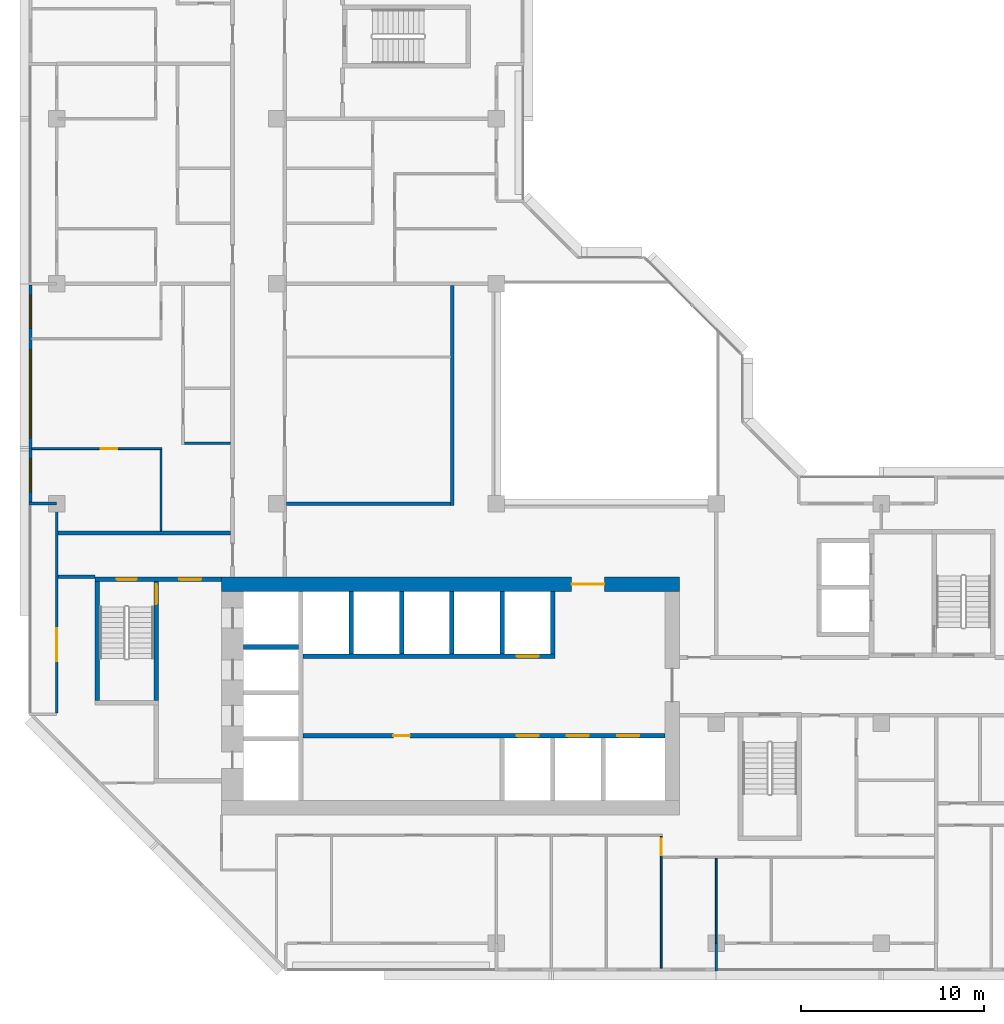
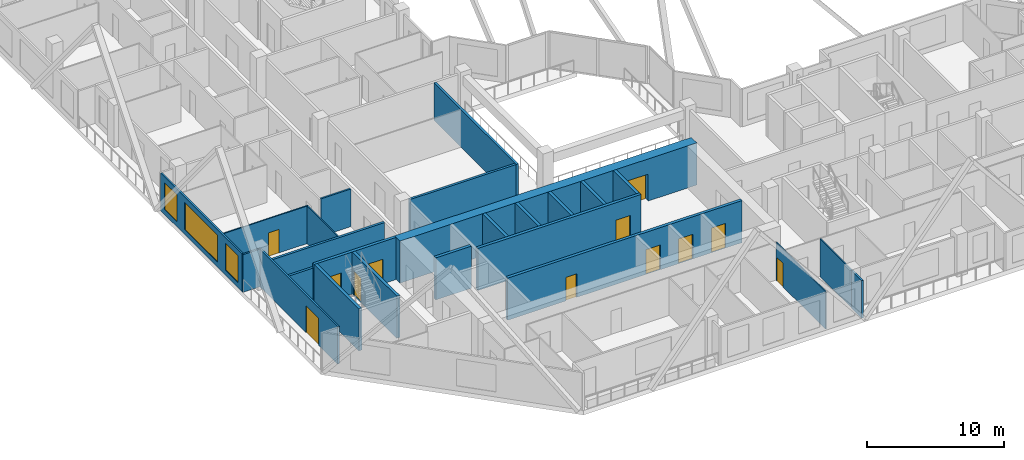
# One storey, part 5 of 15: 25 walls, 12 doors, 3 windows, 15 openings.
"""IFC4 building model written with IfcOpenShell, lengths in metres."""

from ifc_helpers import new_model, si_unit, direction, frame, frame_2d, origin, place, context, subcontext, project, spatial, rectangle, extrude, material, layer, layer_set, type_object, element, fill, save


model = new_model("IFC4")

# Units and contexts
model_context = context("Model", 3, precision=1e-05, world=origin(), true_north=direction((0.0, 1.0)))
body_context = subcontext(model_context, "Body", "Model", "MODEL_VIEW")
ifc_project = project(units=[si_unit("LENGTHUNIT", "METRE"), si_unit("AREAUNIT", "SQUARE_METRE"), si_unit("VOLUMEUNIT", "CUBIC_METRE"), si_unit("PLANEANGLEUNIT", "RADIAN"), si_unit("MASSUNIT", "GRAM", prefix="KILO")], contexts=[model_context])

# Site, building, storey
site_placement = place(None, origin())
site = spatial("IfcSite", under=ifc_project, at=site_placement, CompositionType="ELEMENT")
building_placement = place(site_placement, origin())
building = spatial("IfcBuilding", under=site, at=building_placement, Name="Chenar Terraces", CompositionType="ELEMENT")
storey_placement = place(building_placement, frame((0.0, 0.0, 194.89990234375)))
storey = spatial("IfcBuildingStorey", under=building, at=storey_placement, Name="L45", CompositionType="ELEMENT", Elevation=194.89990234375)

# Wall, openings, doors
ifc_material_1 = material(Name="Concrete C60/75", Category="concrete")
ifc_layer_1 = layer(ifc_material_1, 0.25)
ifc_layer_set_1 = layer_set([ifc_layer_1], Name="Concrete C60/75")
wall_type_1 = type_object("IfcWallType", Name="Core wall 250 Concrete C60/75", PredefinedType="SHEAR", material=ifc_layer_set_1)
wall_1_placement = place(storey_placement, frame((13.449951171875, 11.324951171875, 0.0), z_axis=(0.0, 0.0, 1.0), x_axis=(1.0, 0.0, 0.0)))
wall_1 = element("IfcWall", 1, at=wall_1_placement, inside=storey, type_object=wall_type_1, Name="Core wall SF L45", PredefinedType="SHEAR", context=body_context, shape_type="SweptSolid", body=[
    extrude(rectangle(XDim=19.75, YDim=0.25, at=frame_2d((9.875, 0.0))), origin(), (0.0, 0.0, 1.0), 3.75),
])
opening_1_placement = place(wall_1_placement, frame((11.64990234375, 0.0, 0.0)))
opening_1 = element("IfcOpeningElement", 2, at=opening_1_placement, cuts=wall_1, Name="Opening DL45-LD1", PredefinedType="OPENING", context=body_context, shape_type="SweptSolid", body=[
    extrude(rectangle(XDim=1.199951171875, YDim=2.199951171875, at=frame_2d((0.60009765625, 1.10009765625))), frame((0.0, 0.135009765625, 0.0), z_axis=(0.0, -1.0, 0.0), x_axis=(1.0, 0.0, 0.0)), (0.0, 0.0, 1.0), 0.27001953125),
])
opening_2_placement = place(wall_1_placement, frame((14.39990234375, 0.0, 0.0)))
opening_2 = element("IfcOpeningElement", 3, at=opening_2_placement, cuts=wall_1, Name="Opening DL45-LD2", PredefinedType="OPENING", context=body_context, shape_type="SweptSolid", body=[
    extrude(rectangle(XDim=1.199951171875, YDim=2.199951171875, at=frame_2d((0.60009765625, 1.10009765625))), frame((0.0, 0.135009765625, 0.0), z_axis=(0.0, -1.0, 0.0), x_axis=(1.0, 0.0, 0.0)), (0.0, 0.0, 1.0), 0.27001953125),
])
opening_3_placement = place(wall_1_placement, frame((17.14990234375, 0.0, 0.0)))
opening_3 = element("IfcOpeningElement", 4, at=opening_3_placement, cuts=wall_1, Name="Opening DL45-LD3", PredefinedType="OPENING", context=body_context, shape_type="SweptSolid", body=[
    extrude(rectangle(XDim=1.199951171875, YDim=2.199951171875, at=frame_2d((0.60009765625, 1.10009765625))), frame((0.0, 0.135009765625, 0.0), z_axis=(0.0, -1.0, 0.0), x_axis=(1.0, 0.0, 0.0)), (0.0, 0.0, 1.0), 0.27001953125),
])
opening_4_placement = place(wall_1_placement, frame((4.925048828125, 0.0, 0.0)))
opening_4 = element("IfcOpeningElement", 5, at=opening_4_placement, cuts=wall_1, Name="Opening DL45-C12", PredefinedType="OPENING", context=body_context, shape_type="SweptSolid", body=[
    extrude(rectangle(XDim=0.89990234375, YDim=2.10009765625, at=frame_2d((0.449951171875, 1.050048828125))), frame((0.0, 0.135009765625, 0.0), z_axis=(0.0, -1.0, 0.0), x_axis=(1.0, 0.0, 0.0)), (0.0, 0.0, 1.0), 0.27001953125),
])
ifc_material_2 = material(Name="Stainless steel", Category="steel")
door_type_1 = type_object("IfcDoorType", Name="Lift landing door 1200 x 2200 sliding", OperationType="DOUBLE_DOOR_SLIDING", PredefinedType="DOOR", material=ifc_material_2)
door_1_placement = place(opening_1_placement, origin())
door_1 = element("IfcDoor", 6, at=door_1_placement, inside=storey, type_object=door_type_1, Name="Landing door M1", OperationType="DOUBLE_DOOR_SLIDING", OverallHeight=2.199951171875, OverallWidth=1.199951171875, PredefinedType="DOOR", context=body_context, shape_type="SweptSolid", body=[
    extrude(rectangle(XDim=1.199951171875, YDim=2.199951171875, at=frame_2d((0.60009765625, 1.10009765625))), frame((0.0, 0.02490234375, 0.0), z_axis=(0.0, -1.0, 0.0), x_axis=(1.0, 0.0, 0.0)), (0.0, 0.0, 1.0), 0.050048828125),
])
fill(opening_1, door_1)
door_2_placement = place(opening_2_placement, origin())
door_2 = element("IfcDoor", 7, at=door_2_placement, inside=storey, type_object=door_type_1, Name="Landing door M2", OperationType="DOUBLE_DOOR_SLIDING", OverallHeight=2.199951171875, OverallWidth=1.199951171875, PredefinedType="DOOR", context=body_context, shape_type="SweptSolid", body=[
    extrude(rectangle(XDim=1.199951171875, YDim=2.199951171875, at=frame_2d((0.60009765625, 1.10009765625))), frame((0.0, 0.02490234375, 0.0), z_axis=(0.0, -1.0, 0.0), x_axis=(1.0, 0.0, 0.0)), (0.0, 0.0, 1.0), 0.050048828125),
])
fill(opening_2, door_2)
door_3_placement = place(opening_3_placement, origin())
door_3 = element("IfcDoor", 8, at=door_3_placement, inside=storey, type_object=door_type_1, Name="Landing door M3", OperationType="DOUBLE_DOOR_SLIDING", OverallHeight=2.199951171875, OverallWidth=1.199951171875, PredefinedType="DOOR", context=body_context, shape_type="SweptSolid", body=[
    extrude(rectangle(XDim=1.199951171875, YDim=2.199951171875, at=frame_2d((0.60009765625, 1.10009765625))), frame((0.0, 0.02490234375, 0.0), z_axis=(0.0, -1.0, 0.0), x_axis=(1.0, 0.0, 0.0)), (0.0, 0.0, 1.0), 0.050048828125),
])
fill(opening_3, door_3)
ifc_material_3 = material(Name="Steel-framed fire-resisting door leaf", Category="steel")
door_type_2 = type_object("IfcDoorType", Name="Riser fire door FD60 900 x 2100", OperationType="SINGLE_SWING_LEFT", PredefinedType="DOOR", material=ifc_material_3)
door_4_placement = place(opening_4_placement, frame((0.89990234375, 0.0, 0.0), z_axis=(0.0, 0.0, 1.0), x_axis=(-1.0, 0.0, 0.0)))
door_4 = element("IfcDoor", 9, at=door_4_placement, inside=storey, type_object=door_type_2, Name="Core room door DL45-C12", OperationType="SINGLE_SWING_RIGHT", OverallHeight=2.10009765625, OverallWidth=0.89990234375, PredefinedType="DOOR", context=body_context, shape_type="SweptSolid", body=[
    extrude(rectangle(XDim=0.89990234375, YDim=2.10009765625, at=frame_2d((0.449951171875, 1.050048828125))), frame((0.0, 0.02490234375, 0.0), z_axis=(0.0, -1.0, 0.0), x_axis=(1.0, 0.0, 0.0)), (0.0, 0.0, 1.0), 0.050048828125),
])
fill(opening_4, door_4)

# Wall, opening, door
wall_2_placement = place(storey_placement, frame((13.449951171875, 15.675048828125, 0.0), z_axis=(0.0, 0.0, 1.0), x_axis=(1.0, 0.0, 0.0)))
wall_2 = element("IfcWall", 10, at=wall_2_placement, inside=storey, type_object=wall_type_1, Name="Core wall NF L45", PredefinedType="SHEAR", context=body_context, shape_type="SweptSolid", body=[
    extrude(rectangle(XDim=13.75, YDim=0.25, at=frame_2d((6.875, 0.0))), origin(), (0.0, 0.0, 1.0), 3.75),
])
opening_5_placement = place(wall_2_placement, frame((11.64990234375, 0.0, 0.0)))
opening_5 = element("IfcOpeningElement", 11, at=opening_5_placement, cuts=wall_2, Name="Opening DL45-LD4", PredefinedType="OPENING", context=body_context, shape_type="SweptSolid", body=[
    extrude(rectangle(XDim=1.199951171875, YDim=2.199951171875, at=frame_2d((0.60009765625, 1.10009765625))), frame((0.0, 0.135009765625, 0.0), z_axis=(0.0, -1.0, 0.0), x_axis=(1.0, 0.0, 0.0)), (0.0, 0.0, 1.0), 0.27001953125),
])
door_5_placement = place(opening_5_placement, origin())
door_5 = element("IfcDoor", 12, at=door_5_placement, inside=storey, type_object=door_type_1, Name="Landing door M4", OperationType="DOUBLE_DOOR_SLIDING", OverallHeight=2.199951171875, OverallWidth=1.199951171875, PredefinedType="DOOR", context=body_context, shape_type="SweptSolid", body=[
    extrude(rectangle(XDim=1.199951171875, YDim=2.199951171875, at=frame_2d((0.60009765625, 1.10009765625))), frame((0.0, 0.02490234375, 0.0), z_axis=(0.0, -1.0, 0.0), x_axis=(1.0, 0.0, 0.0)), (0.0, 0.0, 1.0), 0.050048828125),
])
fill(opening_5, door_5)

# Walls
wall_3_placement = place(storey_placement, frame((10.199951171875, 16.175048828125, 0.0), z_axis=(0.0, 0.0, 1.0), x_axis=(1.0, 0.0, 0.0)))
element("IfcWall", 13, at=wall_3_placement, inside=storey, type_object=wall_type_1, Name="Core wall HW2 L45", PredefinedType="SHEAR", context=body_context, shape_type="SweptSolid", body=[
    extrude(rectangle(XDim=3.0, YDim=0.25, at=frame_2d((1.5, 0.0))), origin(), (0.0, 0.0, 1.0), 3.75),
])
for number, where, z_axis, x_axis, name in (
    (14, (16.074951171875, 15.800048828125, 0.0), (0.0, 0.0, 1.0), (0.0, 1.0, 0.0), "Core wall NS0 L45"),
    (15, (18.824951171875, 15.800048828125, 0.0), (0.0, 0.0, 1.0), (0.0, 1.0, 0.0), "Core wall NS1 L45"),
    (16, (21.574951171875, 15.800048828125, 0.0), (0.0, 0.0, 1.0), (0.0, 1.0, 0.0), "Core wall NS2 L45"),
    (17, (24.324951171875, 15.800048828125, 0.0), (0.0, 0.0, 1.0), (0.0, 1.0, 0.0), "Core wall NS3 L45"),
    (18, (27.074951171875, 15.800048828125, 0.0), (0.0, 0.0, 1.0), (0.0, 1.0, 0.0), "Core wall NE L45"),
):
    element("IfcWall", number, at=place(storey_placement, frame(where, z_axis=z_axis, x_axis=x_axis)), inside=storey, type_object=wall_type_1, Name=name, PredefinedType="SHEAR", context=body_context, shape_type="SweptSolid", body=[
        extrude(rectangle(XDim=3.39990234375, YDim=0.25, at=frame_2d((1.699951171875, 0.0))), origin(), (0.0, 0.0, 1.0), 3.75),
    ])

# Wall, openings, doors
wall_4_placement = place(storey_placement, frame((2.10009765625, 19.875, 0.0), z_axis=(0.0, 0.0, 1.0), x_axis=(1.0, 0.0, 0.0)))
wall_4 = element("IfcWall", 19, at=wall_4_placement, inside=storey, type_object=wall_type_1, Name="Core wall A_N L45", PredefinedType="SHEAR", context=body_context, shape_type="SweptSolid", body=[
    extrude(rectangle(XDim=6.89990234375, YDim=0.25, at=frame_2d((3.449951171875, 0.0))), origin(), (0.0, 0.0, 1.0), 3.75),
])
opening_6_placement = place(wall_4_placement, frame((1.175048828125, 0.0, 0.0)))
opening_6 = element("IfcOpeningElement", 20, at=opening_6_placement, cuts=wall_4, Name="Opening DL45-C5", PredefinedType="OPENING", context=body_context, shape_type="SweptSolid", body=[
    extrude(rectangle(XDim=1.10009765625, YDim=2.199951171875, at=frame_2d((0.550048828125, 1.10009765625))), frame((0.0, 0.135009765625, 0.0), z_axis=(0.0, -1.0, 0.0), x_axis=(1.0, 0.0, 0.0)), (0.0, 0.0, 1.0), 0.27001953125),
])
opening_7_placement = place(wall_4_placement, frame((4.60009765625, 0.0, 0.0)))
opening_7 = element("IfcOpeningElement", 21, at=opening_7_placement, cuts=wall_4, Name="Opening DL45-C6", PredefinedType="OPENING", context=body_context, shape_type="SweptSolid", body=[
    extrude(rectangle(XDim=1.199951171875, YDim=2.199951171875, at=frame_2d((0.60009765625, 1.10009765625))), frame((0.0, 0.135009765625, 0.0), z_axis=(0.0, -1.0, 0.0), x_axis=(1.0, 0.0, 0.0)), (0.0, 0.0, 1.0), 0.27001953125),
])
ifc_material_4 = material(Name="Steel-framed fire-resisting door leaf", Category="steel")
door_type_3 = type_object("IfcDoorType", Name="Lobby fire door FD60 1200 x 2200", OperationType="SINGLE_SWING_LEFT", PredefinedType="DOOR", material=ifc_material_4)
door_6_placement = place(opening_7_placement, frame((1.199951171875, 0.0, 0.0), z_axis=(0.0, 0.0, 1.0), x_axis=(-1.0, 0.0, 0.0)))
door_6 = element("IfcDoor", 22, at=door_6_placement, inside=storey, type_object=door_type_3, Name="Core door DL45-C6", OperationType="SINGLE_SWING_LEFT", OverallHeight=2.199951171875, OverallWidth=1.199951171875, PredefinedType="DOOR", context=body_context, shape_type="SweptSolid", body=[
    extrude(rectangle(XDim=1.199951171875, YDim=2.199951171875, at=frame_2d((0.60009765625, 1.10009765625))), frame((0.0, 0.02490234375, 0.0), z_axis=(0.0, -1.0, 0.0), x_axis=(1.0, 0.0, 0.0)), (0.0, 0.0, 1.0), 0.050048828125),
])
fill(opening_7, door_6)
ifc_material_5 = material(Name="Steel-framed fire-resisting door leaf", Category="steel")
door_type_4 = type_object("IfcDoorType", Name="Stair fire door FD60 1100 x 2200", OperationType="SINGLE_SWING_LEFT", PredefinedType="DOOR", material=ifc_material_5)
door_7_placement = place(opening_6_placement, origin())
door_7 = element("IfcDoor", 23, at=door_7_placement, inside=storey, type_object=door_type_4, Name="Stair door DL45-C5", OperationType="SINGLE_SWING_LEFT", OverallHeight=2.199951171875, OverallWidth=1.10009765625, PredefinedType="DOOR", context=body_context, shape_type="SweptSolid", body=[
    extrude(rectangle(XDim=1.10009765625, YDim=2.199951171875, at=frame_2d((0.550048828125, 1.10009765625))), frame((0.0, 0.02490234375, 0.0), z_axis=(0.0, -1.0, 0.0), x_axis=(1.0, 0.0, 0.0)), (0.0, 0.0, 1.0), 0.050048828125),
])
fill(opening_6, door_7)

# Wall
wall_5_placement = place(storey_placement, frame((2.22509765625, 13.25, 0.0), z_axis=(0.0, 0.0, 1.0), x_axis=(0.0, 1.0, 0.0)))
element("IfcWall", 24, at=wall_5_placement, inside=storey, type_object=wall_type_1, Name="Core wall ST1_W L45", PredefinedType="SHEAR", context=body_context, shape_type="SweptSolid", body=[
    extrude(rectangle(XDim=6.5, YDim=0.25, at=frame_2d((3.25, 0.0))), origin(), (0.0, 0.0, 1.0), 3.75),
])

# Wall, opening, door
wall_6_placement = place(storey_placement, frame((5.425048828125, 13.25, 0.0), z_axis=(0.0, 0.0, 1.0), x_axis=(0.0, 1.0, 0.0)))
wall_6 = element("IfcWall", 25, at=wall_6_placement, inside=storey, type_object=wall_type_1, Name="Core wall ST1_E L45", PredefinedType="SHEAR", context=body_context, shape_type="SweptSolid", body=[
    extrude(rectangle(XDim=6.5, YDim=0.25, at=frame_2d((3.25, 0.0))), origin(), (0.0, 0.0, 1.0), 3.75),
])
opening_8_placement = place(wall_6_placement, frame((5.25, 0.0, 0.0)))
opening_8 = element("IfcOpeningElement", 26, at=opening_8_placement, cuts=wall_6, Name="Opening DL45-C3", PredefinedType="OPENING", context=body_context, shape_type="SweptSolid", body=[
    extrude(rectangle(XDim=1.10009765625, YDim=2.199951171875, at=frame_2d((0.550048828125, 1.10009765625))), frame((0.0, 0.135009765625, 0.0), z_axis=(0.0, -1.0, 0.0), x_axis=(1.0, 0.0, 0.0)), (0.0, 0.0, 1.0), 0.27001953125),
])
door_8_placement = place(opening_8_placement, origin())
door_8 = element("IfcDoor", 27, at=door_8_placement, inside=storey, type_object=door_type_4, Name="Stair door DL45-C3", OperationType="SINGLE_SWING_RIGHT", OverallHeight=2.199951171875, OverallWidth=1.10009765625, PredefinedType="DOOR", context=body_context, shape_type="SweptSolid", body=[
    extrude(rectangle(XDim=1.10009765625, YDim=2.199951171875, at=frame_2d((0.550048828125, 1.10009765625))), frame((0.0, 0.02490234375, 0.0), z_axis=(0.0, -1.0, 0.0), x_axis=(1.0, 0.0, 0.0)), (0.0, 0.0, 1.0), 0.050048828125),
])
fill(opening_8, door_8)

ifc_material_6 = material(Name="Concrete C60/75", Category="concrete")
ifc_layer_2 = layer(ifc_material_6, 0.800048828125)
ifc_layer_set_2 = layer_set([ifc_layer_2], Name="Concrete C60/75")
wall_type_2 = type_object("IfcWallType", Name="Core wall 800 Concrete C60/75", PredefinedType="SHEAR", material=ifc_layer_set_2)
wall_7_placement = place(storey_placement, frame((9.0, 19.60009765625, 0.0), z_axis=(0.0, 0.0, 1.0), x_axis=(1.0, 0.0, 0.0)))
wall_7 = element("IfcWall", 28, at=wall_7_placement, inside=storey, type_object=wall_type_2, Name="Core wall N L45", PredefinedType="SHEAR", context=body_context, shape_type="SweptSolid", body=[
    extrude(rectangle(XDim=25.0, YDim=0.800048828125, at=frame_2d((12.5, 0.0))), origin(), (0.0, 0.0, 1.0), 3.75),
])
opening_9_placement = place(wall_7_placement, frame((19.10009765625, 0.0, 0.0)))
opening_9 = element("IfcOpeningElement", 29, at=opening_9_placement, cuts=wall_7, Name="Opening DL45-C2", PredefinedType="OPENING", context=body_context, shape_type="SweptSolid", body=[
    extrude(rectangle(XDim=1.800048828125, YDim=2.39990234375, at=frame_2d((0.89990234375, 1.199951171875))), frame((0.0, 0.409912109375, 0.0), z_axis=(0.0, -1.0, 0.0), x_axis=(1.0, 0.0, 0.0)), (0.0, 0.0, 1.0), 0.820068359375),
])
ifc_material_7 = material(Name="Steel-framed fire-resisting door leaf", Category="steel")
door_type_5 = type_object("IfcDoorType", Name="Core entrance double fire door FD60 1800 x 2400", OperationType="DOUBLE_DOOR_SINGLE_SWING", PredefinedType="DOOR", material=ifc_material_7)
door_9_placement = place(opening_9_placement, frame((1.800048828125, 0.0, 0.0), z_axis=(0.0, 0.0, 1.0), x_axis=(-1.0, 0.0, 0.0)))
door_9 = element("IfcDoor", 30, at=door_9_placement, inside=storey, type_object=door_type_5, Name="Core door DL45-C2", OperationType="DOUBLE_DOOR_SINGLE_SWING", OverallHeight=2.39990234375, OverallWidth=1.800048828125, PredefinedType="DOOR", context=body_context, shape_type="SweptSolid", body=[
    extrude(rectangle(XDim=1.800048828125, YDim=2.39990234375, at=frame_2d((0.89990234375, 1.199951171875))), frame((0.0, 0.02490234375, 0.0), z_axis=(0.0, -1.0, 0.0), x_axis=(1.0, 0.0, 0.0)), (0.0, 0.0, 1.0), 0.050048828125),
])
fill(opening_9, door_9)

# Walls
ifc_material_8 = material(Name="Gypsum board on steel studs with fire boards", Category="steel")
ifc_layer_3 = layer(ifc_material_8, 0.199951171875)
ifc_layer_set_3 = layer_set([ifc_layer_3], Name="Gypsum board on steel studs with fire boards")
wall_type_3 = type_object("IfcWallType", Name="Corridor wall 200", PredefinedType="PARTITIONING", material=ifc_layer_set_3)
wall_8_placement = place(storey_placement, frame((0.073974609375, 20.0, 0.0), z_axis=(0.0, 0.0, 1.0), x_axis=(1.0, 0.0, 0.0)))
element("IfcWall", 31, at=wall_8_placement, inside=storey, type_object=wall_type_3, Name="Partition L45-008", PredefinedType="PARTITIONING", context=body_context, shape_type="SweptSolid", body=[
    extrude(rectangle(XDim=2.026123046875, YDim=0.199951171875, at=frame_2d((1.01318359375, 0.0))), origin(), (0.0, 0.0, 1.0), 3.35009765625),
])
wall_9_placement = place(storey_placement, frame((0.073974609375, 22.39990234375, 0.0), z_axis=(0.0, 0.0, 1.0), x_axis=(1.0, 0.0, 0.0)))
element("IfcWall", 32, at=wall_9_placement, inside=storey, type_object=wall_type_3, Name="Partition L45-009", PredefinedType="PARTITIONING", context=body_context, shape_type="SweptSolid", body=[
    extrude(rectangle(XDim=9.426025390625, YDim=0.199951171875, at=frame_2d((4.712890625, 0.0))), origin(), (0.0, 0.0, 1.0), 3.35009765625),
])
wall_10_placement = place(storey_placement, frame((12.550048828125, 24.0, 0.0), z_axis=(0.0, 0.0, 1.0), x_axis=(1.0, 0.0, 0.0)))
element("IfcWall", 33, at=wall_10_placement, inside=storey, type_object=wall_type_3, Name="Partition L45-037", PredefinedType="PARTITIONING", context=body_context, shape_type="SweptSolid", body=[
    extrude(rectangle(XDim=8.949951171875, YDim=0.199951171875, at=frame_2d((4.47509765625, 0.0))), origin(), (0.0, 0.0, 1.0), 3.35009765625),
])
wall_11_placement = place(storey_placement, frame((21.60009765625, 23.89990234375, 0.0), z_axis=(0.0, 0.0, 1.0), x_axis=(0.0, 1.0, 0.0)))
element("IfcWall", 34, at=wall_11_placement, inside=storey, type_object=wall_type_3, Name="Partition L45-058", PredefinedType="PARTITIONING", context=body_context, shape_type="SweptSolid", body=[
    extrude(rectangle(XDim=12.0, YDim=0.199951171875, at=frame_2d((6.0, 0.0))), origin(), (0.0, 0.0, 1.0), 3.35009765625),
])

# Wall, openings, windows
ifc_material_9 = material(Name="Aluminium framed glazing", Category="aluminium")
ifc_layer_4 = layer(ifc_material_9, 0.14990234375)
ifc_layer_set_4 = layer_set([ifc_layer_4], Name="Aluminium framed glazing")
wall_type_4 = type_object("IfcWallType", Name="Glazed flush facade wall 150", PredefinedType="SOLIDWALL", material=ifc_layer_set_4)
wall_12_placement = place(storey_placement, frame((-1.425048828125, 35.925048828125, 0.0), z_axis=(0.0, 0.0, 1.0), x_axis=(0.0, -1.0, 0.0)))
wall_12 = element("IfcWall", 35, at=wall_12_placement, inside=storey, type_object=wall_type_4, Name="Glazed flush facade wall", PredefinedType="SOLIDWALL", context=body_context, shape_type="SweptSolid", body=[
    extrude(rectangle(XDim=11.85009765625, YDim=0.14990234375, at=frame_2d((5.925048828125, 0.0))), origin(), (0.0, 0.0, 1.0), 3.35009765625),
])
opening_10_placement = place(wall_12_placement, frame((0.5625, 0.0, 0.449951171875)))
opening_10 = element("IfcOpeningElement", 36, at=opening_10_placement, cuts=wall_12, Name="Opening W180x240", PredefinedType="OPENING", context=body_context, shape_type="SweptSolid", body=[
    extrude(rectangle(XDim=1.800048828125, YDim=2.39990234375, at=frame_2d((0.89990234375, 1.199951171875))), frame((0.0, 0.0849609375, 0.0), z_axis=(0.0, -1.0, 0.0), x_axis=(1.0, 0.0, 0.0)), (0.0, 0.0, 1.0), 0.169921875),
])
opening_11_placement = place(wall_12_placement, frame((3.52490234375, 0.0, 0.449951171875)))
opening_11 = element("IfcOpeningElement", 37, at=opening_11_placement, cuts=wall_12, Name="Opening W480x240", PredefinedType="OPENING", context=body_context, shape_type="SweptSolid", body=[
    extrude(rectangle(XDim=4.800048828125, YDim=2.39990234375, at=frame_2d((2.39990234375, 1.199951171875))), frame((0.0, 0.0849609375, 0.0), z_axis=(0.0, -1.0, 0.0), x_axis=(1.0, 0.0, 0.0)), (0.0, 0.0, 1.0), 0.169921875),
])
opening_12_placement = place(wall_12_placement, frame((9.487548828125, 0.0, 0.449951171875)))
opening_12 = element("IfcOpeningElement", 38, at=opening_12_placement, cuts=wall_12, Name="Opening W180x240", PredefinedType="OPENING", context=body_context, shape_type="SweptSolid", body=[
    extrude(rectangle(XDim=1.800048828125, YDim=2.39990234375, at=frame_2d((0.89990234375, 1.199951171875))), frame((0.0, 0.0849609375, 0.0), z_axis=(0.0, -1.0, 0.0), x_axis=(1.0, 0.0, 0.0)), (0.0, 0.0, 1.0), 0.169921875),
])
ifc_material_10 = material(Name="Low emissivity double glazing, aluminium frame", Category="aluminium")
window_type_1 = type_object("IfcWindowType", Name="Fixed light 1800 x 2400", PartitioningType="SINGLE_PANEL", PredefinedType="WINDOW", material=ifc_material_10)
window_1_placement = place(opening_10_placement, origin())
window_1 = element("IfcWindow", 39, at=window_1_placement, inside=storey, type_object=window_type_1, Name="Window", OverallHeight=2.39990234375, OverallWidth=1.800048828125, PartitioningType="SINGLE_PANEL", PredefinedType="WINDOW", context=body_context, shape_type="SweptSolid", body=[
    extrude(rectangle(XDim=1.800048828125, YDim=2.39990234375, at=frame_2d((0.89990234375, 1.199951171875))), frame((0.0, 0.030029296875, 0.0), z_axis=(0.0, -1.0, 0.0), x_axis=(1.0, 0.0, 0.0)), (0.0, 0.0, 1.0), 0.06005859375),
])
fill(opening_10, window_1)
window_2_placement = place(opening_12_placement, origin())
window_2 = element("IfcWindow", 40, at=window_2_placement, inside=storey, type_object=window_type_1, Name="Window", OverallHeight=2.39990234375, OverallWidth=1.800048828125, PartitioningType="SINGLE_PANEL", PredefinedType="WINDOW", context=body_context, shape_type="SweptSolid", body=[
    extrude(rectangle(XDim=1.800048828125, YDim=2.39990234375, at=frame_2d((0.89990234375, 1.199951171875))), frame((0.0, 0.030029296875, 0.0), z_axis=(0.0, -1.0, 0.0), x_axis=(1.0, 0.0, 0.0)), (0.0, 0.0, 1.0), 0.06005859375),
])
fill(opening_12, window_2)
ifc_material_11 = material(Name="Low emissivity double glazing, aluminium frame", Category="aluminium")
window_type_2 = type_object("IfcWindowType", Name="Fixed light 4800 x 2400", PartitioningType="SINGLE_PANEL", PredefinedType="WINDOW", material=ifc_material_11)
window_3_placement = place(opening_11_placement, origin())
window_3 = element("IfcWindow", 41, at=window_3_placement, inside=storey, type_object=window_type_2, Name="Window", OverallHeight=2.39990234375, OverallWidth=4.800048828125, PartitioningType="SINGLE_PANEL", PredefinedType="WINDOW", context=body_context, shape_type="SweptSolid", body=[
    extrude(rectangle(XDim=4.800048828125, YDim=2.39990234375, at=frame_2d((2.39990234375, 1.199951171875))), frame((0.0, 0.030029296875, 0.0), z_axis=(0.0, -1.0, 0.0), x_axis=(1.0, 0.0, 0.0)), (0.0, 0.0, 1.0), 0.06005859375),
])
fill(opening_11, window_3)

# Wall, opening, door
ifc_material_12 = material(Name="Aluminium framed glazing", Category="aluminium")
ifc_layer_5 = layer(ifc_material_12, 0.14990234375)
ifc_layer_set_5 = layer_set([ifc_layer_5], Name="Aluminium framed glazing")
wall_type_5 = type_object("IfcWallType", Name="Glazed loggia back wall 150", PredefinedType="SOLIDWALL", material=ifc_layer_set_5)
wall_13_placement = place(storey_placement, frame((0.0, 23.925048828125, 0.0), z_axis=(0.0, 0.0, 1.0), x_axis=(0.0, -1.0, 0.0)))
wall_13 = element("IfcWall", 42, at=wall_13_placement, inside=storey, type_object=wall_type_5, Name="Glazed loggia back wall", PredefinedType="SOLIDWALL", context=body_context, shape_type="SweptSolid", body=[
    extrude(rectangle(XDim=11.35009765625, YDim=0.14990234375, at=frame_2d((5.675048828125, 0.0))), origin(), (0.0, 0.0, 1.0), 3.35009765625),
])
opening_13_placement = place(wall_13_placement, frame((6.737548828125, 0.0, 0.0)))
opening_13 = element("IfcOpeningElement", 43, at=opening_13_placement, cuts=wall_13, Name="Opening DL45-G4", PredefinedType="OPENING", context=body_context, shape_type="SweptSolid", body=[
    extrude(rectangle(XDim=1.800048828125, YDim=2.39990234375, at=frame_2d((0.89990234375, 1.199951171875))), frame((0.0, 0.0849609375, 0.0), z_axis=(0.0, -1.0, 0.0), x_axis=(1.0, 0.0, 0.0)), (0.0, 0.0, 1.0), 0.169921875),
])
ifc_material_13 = material(Name="Low emissivity double glazing, aluminium frame", Category="aluminium")
door_type_6 = type_object("IfcDoorType", Name="Loggia glazed double door 1800 x 2400", OperationType="DOUBLE_DOOR_SINGLE_SWING", PredefinedType="DOOR", material=ifc_material_13)
door_10_placement = place(opening_13_placement, frame((1.800048828125, 0.0, 0.0), z_axis=(0.0, 0.0, 1.0), x_axis=(-1.0, 0.0, 0.0)))
door_10 = element("IfcDoor", 44, at=door_10_placement, inside=storey, type_object=door_type_6, Name="Loggia glazed door", OperationType="DOUBLE_DOOR_SINGLE_SWING", OverallHeight=2.39990234375, OverallWidth=1.800048828125, PredefinedType="DOOR", context=body_context, shape_type="SweptSolid", body=[
    extrude(rectangle(XDim=1.800048828125, YDim=2.39990234375, at=frame_2d((0.89990234375, 1.199951171875))), frame((0.0, 0.02490234375, 0.0), z_axis=(0.0, -1.0, 0.0), x_axis=(1.0, 0.0, 0.0)), (0.0, 0.0, 1.0), 0.050048828125),
])
fill(opening_13, door_10)

ifc_material_14 = material(Name="Gypsum board on steel studs", Category="steel")
ifc_layer_6 = layer(ifc_material_14, 0.10009765625)
ifc_layer_set_6 = layer_set([ifc_layer_6], Name="Gypsum board on steel studs")
wall_type_6 = type_object("IfcWallType", Name="Gypsum partition 100", PredefinedType="PARTITIONING", material=ifc_layer_set_6)
wall_14_placement = place(storey_placement, frame((-1.35009765625, 27.0, 0.0), z_axis=(0.0, 0.0, 1.0), x_axis=(1.0, 0.0, 0.0)))
wall_14 = element("IfcWall", 45, at=wall_14_placement, inside=storey, type_object=wall_type_6, Name="Partition L45-002", PredefinedType="PARTITIONING", context=body_context, shape_type="SweptSolid", body=[
    extrude(rectangle(XDim=7.10009765625, YDim=0.10009765625, at=frame_2d((3.550048828125, 0.0))), origin(), (0.0, 0.0, 1.0), 3.35009765625),
])
opening_14_placement = place(wall_14_placement, frame((3.75, 0.0, 0.0)))
opening_14 = element("IfcOpeningElement", 46, at=opening_14_placement, cuts=wall_14, Name="Opening DL45-57", PredefinedType="OPENING", context=body_context, shape_type="SweptSolid", body=[
    extrude(rectangle(XDim=0.89990234375, YDim=2.10009765625, at=frame_2d((0.449951171875, 1.050048828125))), frame((0.0, 0.06005859375, 0.0), z_axis=(0.0, -1.0, 0.0), x_axis=(1.0, 0.0, 0.0)), (0.0, 0.0, 1.0), 0.1201171875),
])
ifc_material_15 = material(Name="Veneered timber door leaf", Category="wood")
door_type_7 = type_object("IfcDoorType", Name="Door 900 x 2100", OperationType="SINGLE_SWING_LEFT", PredefinedType="DOOR", material=ifc_material_15)
door_11_placement = place(opening_14_placement, frame((0.89990234375, 0.0, 0.0), z_axis=(0.0, 0.0, 1.0), x_axis=(-1.0, 0.0, 0.0)))
door_11 = element("IfcDoor", 47, at=door_11_placement, inside=storey, type_object=door_type_7, Name="Door DL45-57", OperationType="SINGLE_SWING_LEFT", OverallHeight=2.10009765625, OverallWidth=0.89990234375, PredefinedType="DOOR", context=body_context, shape_type="SweptSolid", body=[
    extrude(rectangle(XDim=0.89990234375, YDim=2.10009765625, at=frame_2d((0.449951171875, 1.050048828125))), frame((0.0, 0.02490234375, 0.0), z_axis=(0.0, -1.0, 0.0), x_axis=(1.0, 0.0, 0.0)), (0.0, 0.0, 1.0), 0.050048828125),
])
fill(opening_14, door_11)

# Wall
wall_15_placement = place(storey_placement, frame((5.699951171875, 22.5, 0.0), z_axis=(0.0, 0.0, 1.0), x_axis=(0.0, 1.0, 0.0)))
element("IfcWall", 48, at=wall_15_placement, inside=storey, type_object=wall_type_6, Name="Partition L45-019", PredefinedType="PARTITIONING", context=body_context, shape_type="SweptSolid", body=[
    extrude(rectangle(XDim=4.449951171875, YDim=0.10009765625, at=frame_2d((2.22509765625, 0.0))), origin(), (0.0, 0.0, 1.0), 3.35009765625),
])

# Wall, opening, door
wall_16_placement = place(storey_placement, frame((33.0, -1.35107421875, 0.0), z_axis=(0.0, 0.0, 1.0), x_axis=(0.0, 1.0, 0.0)))
wall_16 = element("IfcWall", 49, at=wall_16_placement, inside=storey, type_object=wall_type_6, Name="Partition L45-062", PredefinedType="PARTITIONING", context=body_context, shape_type="SweptSolid", body=[
    extrude(rectangle(XDim=7.201171875, YDim=0.10009765625, at=frame_2d((3.6005859375, 0.0))), origin(), (0.0, 0.0, 1.0), 3.35009765625),
])
opening_15_placement = place(wall_16_placement, frame((6.15087890625, 0.0, 0.0)))
opening_15 = element("IfcOpeningElement", 50, at=opening_15_placement, cuts=wall_16, Name="Opening DL45-47", PredefinedType="OPENING", context=body_context, shape_type="SweptSolid", body=[
    extrude(rectangle(XDim=0.89990234375, YDim=2.10009765625, at=frame_2d((0.449951171875, 1.050048828125))), frame((0.0, 0.06005859375, 0.0), z_axis=(0.0, -1.0, 0.0), x_axis=(1.0, 0.0, 0.0)), (0.0, 0.0, 1.0), 0.1201171875),
])
door_12_placement = place(opening_15_placement, origin())
door_12 = element("IfcDoor", 51, at=door_12_placement, inside=storey, type_object=door_type_7, Name="Door DL45-47", OperationType="SINGLE_SWING_RIGHT", OverallHeight=2.10009765625, OverallWidth=0.89990234375, PredefinedType="DOOR", context=body_context, shape_type="SweptSolid", body=[
    extrude(rectangle(XDim=0.89990234375, YDim=2.10009765625, at=frame_2d((0.449951171875, 1.050048828125))), frame((0.0, 0.02490234375, 0.0), z_axis=(0.0, -1.0, 0.0), x_axis=(1.0, 0.0, 0.0)), (0.0, 0.0, 1.0), 0.050048828125),
])
fill(opening_15, door_12)

# Walls
wall_17_placement = place(storey_placement, frame((36.0, 0.0, 0.0), z_axis=(0.0, 0.0, 1.0), x_axis=(0.0, 1.0, 0.0)))
element("IfcWall", 52, at=wall_17_placement, inside=storey, type_object=wall_type_6, Name="Partition L45-066", PredefinedType="PARTITIONING", context=body_context, shape_type="SweptSolid", body=[
    extrude(rectangle(XDim=4.64990234375, YDim=0.10009765625, at=frame_2d((2.324951171875, 0.0))), origin(), (0.0, 0.0, 1.0), 3.35009765625),
])
ifc_material_16 = material(Name="Terracotta cladding on insulated backing", Category="masonry")
ifc_layer_7 = layer(ifc_material_16, 0.14990234375)
ifc_layer_set_7 = layer_set([ifc_layer_7], Name="Terracotta cladding on insulated backing")
wall_type_7 = type_object("IfcWallType", Name="Loggia return wall 150", PredefinedType="SOLIDWALL", material=ifc_layer_set_7)
for number, where, z_axis, x_axis, name in (
    (53, (-1.5, 24.0, 0.0), (0.0, 0.0, 1.0), (1.0, 0.0, 0.0), "Loggia return wall"),
    (54, (36.0, -1.5, 0.0), (0.0, 0.0, 1.0), (0.0, 1.0, 0.0), "Loggia return wall"),
):
    element("IfcWall", number, at=place(storey_placement, frame(where, z_axis=z_axis, x_axis=x_axis)), inside=storey, type_object=wall_type_7, Name=name, PredefinedType="SOLIDWALL", context=body_context, shape_type="SweptSolid", body=[
        extrude(rectangle(XDim=1.5, YDim=0.14990234375, at=frame_2d((0.75, 0.0))), origin(), (0.0, 0.0, 1.0), 3.35009765625),
    ])
ifc_material_17 = material(Name="Moisture-resistant gypsum board on steel studs", Category="steel")
ifc_layer_8 = layer(ifc_material_17, 0.14990234375)
ifc_layer_set_8 = layer_set([ifc_layer_8], Name="Moisture-resistant gypsum board on steel studs")
wall_type_8 = type_object("IfcWallType", Name="Wet-room partition 150", PredefinedType="PARTITIONING", material=ifc_layer_set_8)
wall_18_placement = place(storey_placement, frame((6.97509765625, 27.300048828125, 0.0), z_axis=(0.0, 0.0, 1.0), x_axis=(1.0, 0.0, 0.0)))
element("IfcWall", 55, at=wall_18_placement, inside=storey, type_object=wall_type_8, Name="Partition L45-029", PredefinedType="PARTITIONING", context=body_context, shape_type="SweptSolid", body=[
    extrude(rectangle(XDim=2.52490234375, YDim=0.14990234375, at=frame_2d((1.262451171875, 0.0))), origin(), (0.0, 0.0, 1.0), 3.35009765625),
])

save(model, "model.ifc")
